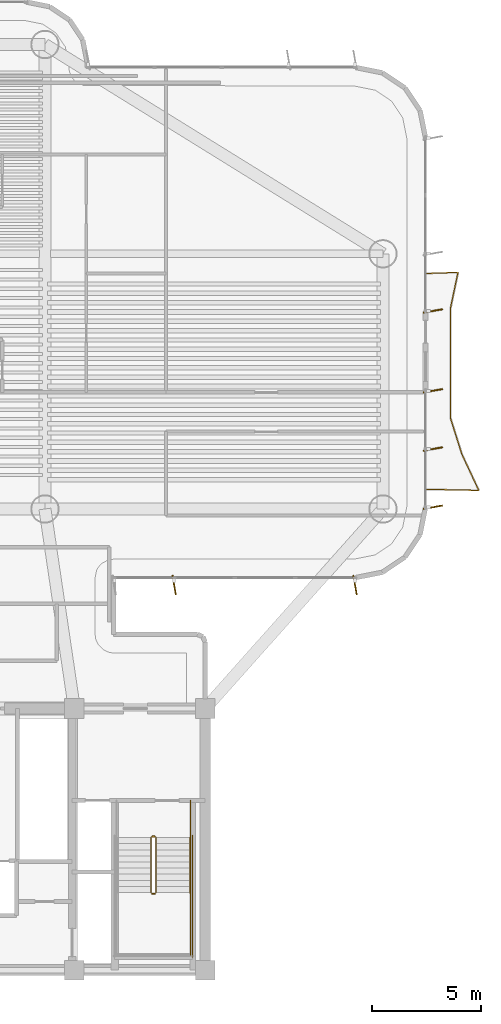
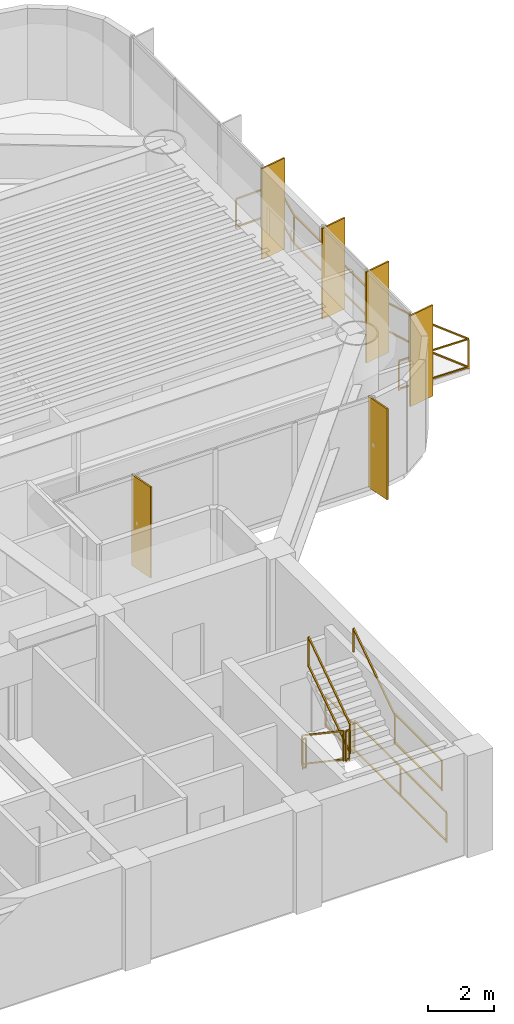
# One storey, part 14 of 15: 9 railings, 6 shading devices.
"""IFC4 building model written with IfcOpenShell, lengths in metres."""

from ifc_helpers import new_model, si_unit, direction, frame, origin, origin_2d, place, context, subcontext, project, spatial, rectangle, extrude, source, transform, mapped, material, layer, layer_set, material_profile, profile_set, type_object, element, save


model = new_model("IFC4")

# Units and contexts
model_context = context("Model", 3, precision=1e-05, world=origin(), true_north=direction((0.0, 1.0)))
body_context = subcontext(model_context, "Body", "Model", "MODEL_VIEW")
ifc_project = project(units=[si_unit("LENGTHUNIT", "METRE"), si_unit("AREAUNIT", "SQUARE_METRE"), si_unit("VOLUMEUNIT", "CUBIC_METRE"), si_unit("PLANEANGLEUNIT", "RADIAN"), si_unit("MASSUNIT", "GRAM", prefix="KILO")], contexts=[model_context])

# Site, building, storey
site_placement = place(None, origin())
site = spatial("IfcSite", under=ifc_project, at=site_placement, CompositionType="ELEMENT")
building_placement = place(site_placement, origin())
building = spatial("IfcBuilding", under=site, at=building_placement, Name="Brelvock Crest Care Tower", CompositionType="ELEMENT")
storey_placement = place(building_placement, frame((0.0, 0.0, 142.739990234375)))
storey = spatial("IfcBuildingStorey", under=building, at=storey_placement, Name="L36", CompositionType="ELEMENT", Elevation=142.739990234375)

# Railings
ifc_material_1 = material(Name="Dark Glass Double Glazed Low-E", Category="glass")
ifc_layer_1 = layer(ifc_material_1, 0.06005859375, Name="RL-BAL1")
ifc_layer_set_1 = layer_set([ifc_layer_1], Name="Dark Glass Double Glazed Low-E")
railing_type_1 = type_object("IfcRailingType", Name="RL-BAL1", PredefinedType="BALUSTRADE", material=ifc_layer_set_1)
railing_1_placement = place(storey_placement, frame((58.139892578125, 28.050048828125, 0.00390625)))
element("IfcRailing", 1, at=railing_1_placement, inside=storey, type_object=railing_type_1, Name="L36 Safety Balustrade WB-E", PredefinedType="BALUSTRADE", context=body_context, shape_type="SweptSolid", body=[
    extrude(rectangle(XDim=0.048095703125, YDim=0.048095703125, at=origin_2d()), frame((0.001953125, 0.0, 1.09619140625), z_axis=(0.999783496855, -0.020807676838, 0.0), x_axis=(0.020807676838, 0.999783496855, 0.0)), (0.0, 0.0, 1.0), 2.4013671875),
    extrude(rectangle(XDim=0.048095703125, YDim=0.048095703125, at=origin_2d()), frame((0.001953125, 0.0, 0.054931640625), z_axis=(0.999783496855, -0.020807676838, 0.0), x_axis=(0.020807676838, 0.999783496855, 0.0)), (0.0, 0.0, 1.0), 2.4013671875),
    extrude(rectangle(XDim=0.048095703125, YDim=0.048095703125, at=origin_2d()), frame((2.404052734375, -0.04833984375, 1.09619140625), z_axis=(-0.423219639169, 0.906027117156, 0.0), x_axis=(-0.906027117156, -0.423219639169, 0.0)), (0.0, 0.0, 1.0), 1.835693359375),
    extrude(rectangle(XDim=0.048095703125, YDim=0.048095703125, at=origin_2d()), frame((2.404052734375, -0.04833984375, 0.054931640625), z_axis=(-0.423219639169, 0.906027117156, 0.0), x_axis=(-0.906027117156, -0.423219639169, 0.0)), (0.0, 0.0, 1.0), 1.835693359375),
    extrude(rectangle(XDim=0.048095703125, YDim=0.048095703125, at=origin_2d()), frame((1.625732421875, 1.61865234375, 1.09619140625), z_axis=(-0.30105782115, 0.953605887316, 0.0), x_axis=(-0.953605887316, -0.30105782115, 0.0)), (0.0, 0.0, 1.0), 1.74365234375),
    extrude(rectangle(XDim=0.048095703125, YDim=0.048095703125, at=origin_2d()), frame((1.625732421875, 1.61865234375, 0.054931640625), z_axis=(-0.30105782115, 0.953605887316, 0.0), x_axis=(-0.953605887316, -0.30105782115, 0.0)), (0.0, 0.0, 1.0), 1.74365234375),
    extrude(rectangle(XDim=0.048095703125, YDim=0.048095703125, at=origin_2d()), frame((1.10009765625, 3.28515625, 1.09619140625), z_axis=(0.0, 1.0, 0.0), x_axis=(-1.0, 0.0, 0.0)), (0.0, 0.0, 1.0), 4.99609375),
    extrude(rectangle(XDim=0.048095703125, YDim=0.048095703125, at=origin_2d()), frame((1.10009765625, 3.28515625, 0.054931640625), z_axis=(0.0, 1.0, 0.0), x_axis=(-1.0, 0.0, 0.0)), (0.0, 0.0, 1.0), 4.99609375),
    extrude(rectangle(XDim=0.048095703125, YDim=0.048095703125, at=origin_2d()), frame((1.1005859375, 8.28515625, 1.09619140625), z_axis=(0.205562541209, 0.978643981053, 0.0), x_axis=(-0.978643981053, 0.205562541209, 0.0)), (0.0, 0.0, 1.0), 1.69921875),
    extrude(rectangle(XDim=0.048095703125, YDim=0.048095703125, at=origin_2d()), frame((1.1005859375, 8.28515625, 0.054931640625), z_axis=(0.205562541209, 0.978643981053, 0.0), x_axis=(-0.978643981053, 0.205562541209, 0.0)), (0.0, 0.0, 1.0), 1.69921875),
    extrude(rectangle(XDim=0.048095703125, YDim=0.048095703125, at=origin_2d()), frame((1.4482421875, 9.949951171875, 1.09619140625), z_axis=(-0.999404999824, -0.034491249994, 0.0), x_axis=(0.034491249994, -0.999404999824, 0.0)), (0.0, 0.0, 1.0), 1.447021484375),
    extrude(rectangle(XDim=0.048095703125, YDim=0.048095703125, at=origin_2d()), frame((1.4482421875, 9.949951171875, 0.054931640625), z_axis=(-0.999404999824, -0.034491249994, 0.0), x_axis=(0.034491249994, -0.999404999824, 0.0)), (0.0, 0.0, 1.0), 1.447021484375),
    extrude(rectangle(XDim=0.0419921875, YDim=0.0419921875, at=origin_2d()), origin(), (0.0, 0.0, 1.0), 1.070068359375),
    extrude(rectangle(XDim=0.0419921875, YDim=0.0419921875, at=origin_2d()), frame((2.40478515625, -0.050048828125, 0.0)), (0.0, 0.0, 1.0), 1.070068359375),
    extrude(rectangle(XDim=0.0419921875, YDim=0.0419921875, at=origin_2d()), frame((1.626220703125, 1.61669921875, 0.0)), (0.0, 0.0, 1.0), 1.070068359375),
    extrude(rectangle(XDim=0.0419921875, YDim=0.0419921875, at=origin_2d()), frame((1.10009765625, 3.283203125, 0.0)), (0.0, 0.0, 1.0), 1.070068359375),
    extrude(rectangle(XDim=0.0419921875, YDim=0.0419921875, at=origin_2d()), frame((1.10009765625, 5.783203125, 0.0)), (0.0, 0.0, 1.0), 1.070068359375),
    extrude(rectangle(XDim=0.0419921875, YDim=0.0419921875, at=origin_2d()), frame((1.10009765625, 8.283203125, 0.0)), (0.0, 0.0, 1.0), 1.070068359375),
    extrude(rectangle(XDim=0.0419921875, YDim=0.0419921875, at=origin_2d()), frame((1.4501953125, 9.949951171875, 0.0)), (0.0, 0.0, 1.0), 1.070068359375),
    extrude(rectangle(XDim=0.0419921875, YDim=0.0419921875, at=origin_2d()), frame((0.0, 9.89990234375, 0.0)), (0.0, 0.0, 1.0), 1.070068359375),
])
ifc_material_2 = material(Name="Steel Grade 350", Category="steel")
ifc_layer_2 = layer(ifc_material_2, 0.050048828125, Name="RL-STG1")
ifc_layer_set_2 = layer_set([ifc_layer_2], Name="Steel Grade 350")
railing_type_2 = type_object("IfcRailingType", Name="RL-STG1", PredefinedType="GUARDRAIL", material=ifc_layer_set_2)
railing_2_placement = place(storey_placement, frame((45.52001953125, 12.080078125, 0.18896484375)))
element("IfcRailing", 2, at=railing_2_placement, inside=storey, type_object=railing_type_2, Name="L36 ST-2 stair guard 1", PredefinedType="GUARDRAIL", context=body_context, shape_type="SweptSolid", body=[
    extrude(rectangle(XDim=0.048095703125, YDim=0.048095703125, at=origin_2d()), frame((0.0, -0.001708984375, 1.116943359375), z_axis=(0.0, -0.828861706735, 0.559453546873), x_axis=(1.0, 0.0, 0.0)), (0.0, 0.0, 1.0), 3.036376953125),
    extrude(rectangle(XDim=0.048095703125, YDim=0.048095703125, at=origin_2d()), frame((0.0, -0.001708984375, 0.05615234375), z_axis=(0.0, -0.828861706735, 0.559453546873), x_axis=(1.0, 0.0, 0.0)), (0.0, 0.0, 1.0), 3.036376953125),
    extrude(rectangle(XDim=0.0419921875, YDim=0.0419921875, at=origin_2d()), origin(), (0.0, 0.0, 1.0), 1.08984375),
    extrude(rectangle(XDim=0.0419921875, YDim=0.0419921875, at=origin_2d()), frame((0.0, -2.52001953125, 1.700927734375)), (0.0, 0.0, 1.0), 1.08984375),
])
railing_3_placement = place(storey_placement, frame((45.570068359375, 9.510009765625, 1.889892578125)))
element("IfcRailing", 3, at=railing_3_placement, inside=storey, type_object=railing_type_2, Name="L36 ST-2 stair guard 2", PredefinedType="GUARDRAIL", context=body_context, shape_type="SweptSolid", body=[
    extrude(rectangle(XDim=0.048095703125, YDim=0.048095703125, at=origin_2d()), frame((0.001953125, 0.0, 1.11572265625), z_axis=(1.0, 0.0, 0.0), x_axis=(0.0, 1.0, 0.0)), (0.0, 0.0, 1.0), 0.115966796875),
    extrude(rectangle(XDim=0.048095703125, YDim=0.048095703125, at=origin_2d()), frame((0.001953125, 0.0, 0.054931640625), z_axis=(1.0, 0.0, 0.0), x_axis=(0.0, 1.0, 0.0)), (0.0, 0.0, 1.0), 0.115966796875),
    extrude(rectangle(XDim=0.0419921875, YDim=0.0419921875, at=origin_2d()), origin(), (0.0, 0.0, 1.0), 1.08984375),
    extrude(rectangle(XDim=0.0419921875, YDim=0.0419921875, at=origin_2d()), frame((0.119873046875, 0.0, 0.0)), (0.0, 0.0, 1.0), 1.08984375),
])
railing_4_placement = place(storey_placement, frame((47.320068359375, 9.56005859375, 1.889892578125)))
element("IfcRailing", 4, at=railing_4_placement, inside=storey, type_object=railing_type_2, Name="L36 ST-2 stair guard 4", PredefinedType="GUARDRAIL", context=body_context, shape_type="SweptSolid", body=[
    extrude(rectangle(XDim=0.048095703125, YDim=0.048095703125, at=origin_2d()), frame((0.0, -0.001953125, 1.11572265625), z_axis=(0.0, -1.0, 0.0), x_axis=(1.0, 0.0, 0.0)), (0.0, 0.0, 1.0), 2.856201171875),
    extrude(rectangle(XDim=0.048095703125, YDim=0.048095703125, at=origin_2d()), frame((0.0, -0.001953125, 0.054931640625), z_axis=(0.0, -1.0, 0.0), x_axis=(1.0, 0.0, 0.0)), (0.0, 0.0, 1.0), 2.856201171875),
    extrude(rectangle(XDim=0.0419921875, YDim=0.0419921875, at=origin_2d()), origin(), (0.0, 0.0, 1.0), 1.08984375),
    extrude(rectangle(XDim=0.0419921875, YDim=0.0419921875, at=origin_2d()), frame((0.0, -2.860107421875, 0.0)), (0.0, 0.0, 1.0), 1.08984375),
])
railing_5_placement = place(storey_placement, frame((45.739990234375, 9.56005859375, 2.0791015625)))
element("IfcRailing", 5, at=railing_5_placement, inside=storey, type_object=railing_type_2, Name="L36 ST-2 stair guard 6", PredefinedType="GUARDRAIL", context=body_context, shape_type="SweptSolid", body=[
    extrude(rectangle(XDim=0.048095703125, YDim=0.048095703125, at=origin_2d()), frame((0.0, 0.001708984375, 1.116943359375), z_axis=(0.0, 0.828861706735, 0.559453546873), x_axis=(-1.0, 0.0, 0.0)), (0.0, 0.0, 1.0), 3.036376953125),
    extrude(rectangle(XDim=0.048095703125, YDim=0.048095703125, at=origin_2d()), frame((0.0, 0.001708984375, 0.05615234375), z_axis=(0.0, 0.828861706735, 0.559453546873), x_axis=(-1.0, 0.0, 0.0)), (0.0, 0.0, 1.0), 3.036376953125),
    extrude(rectangle(XDim=0.0419921875, YDim=0.0419921875, at=origin_2d()), origin(), (0.0, 0.0, 1.0), 1.08984375),
    extrude(rectangle(XDim=0.0419921875, YDim=0.0419921875, at=origin_2d()), frame((0.0, 2.52001953125, 1.700927734375)), (0.0, 0.0, 1.0), 1.08984375),
])
railing_6_placement = place(storey_placement, frame((45.570068359375, 12.1298828125, 0.0)))
element("IfcRailing", 6, at=railing_6_placement, inside=storey, type_object=railing_type_2, Name="L36 ST-2 stair guard 7", PredefinedType="GUARDRAIL", context=body_context, shape_type="SweptSolid", body=[
    extrude(rectangle(XDim=0.048095703125, YDim=0.048095703125, at=origin_2d()), frame((0.001953125, 0.0, 1.11572265625), z_axis=(1.0, 0.0, 0.0), x_axis=(0.0, 1.0, 0.0)), (0.0, 0.0, 1.0), 0.115966796875),
    extrude(rectangle(XDim=0.048095703125, YDim=0.048095703125, at=origin_2d()), frame((0.001953125, 0.0, 0.054931640625), z_axis=(1.0, 0.0, 0.0), x_axis=(0.0, 1.0, 0.0)), (0.0, 0.0, 1.0), 0.115966796875),
    extrude(rectangle(XDim=0.0419921875, YDim=0.0419921875, at=origin_2d()), origin(), (0.0, 0.0, 1.0), 1.08984375),
    extrude(rectangle(XDim=0.0419921875, YDim=0.0419921875, at=origin_2d()), frame((0.119873046875, 0.0, 0.0)), (0.0, 0.0, 1.0), 1.08984375),
])
railing_7_placement = place(storey_placement, frame((47.320068359375, 13.780029296875, 0.0)))
element("IfcRailing", 7, at=railing_7_placement, inside=storey, type_object=railing_type_2, Name="L36 ST-2 stair guard 9", PredefinedType="GUARDRAIL", context=body_context, shape_type="SweptSolid", body=[
    extrude(rectangle(XDim=0.048095703125, YDim=0.048095703125, at=origin_2d()), frame((0.0, -0.001953125, 1.11572265625), z_axis=(0.0, -1.0, 0.0), x_axis=(1.0, 0.0, 0.0)), (0.0, 0.0, 1.0), 1.696044921875),
    extrude(rectangle(XDim=0.048095703125, YDim=0.048095703125, at=origin_2d()), frame((0.0, -0.001953125, 0.054931640625), z_axis=(0.0, -1.0, 0.0), x_axis=(1.0, 0.0, 0.0)), (0.0, 0.0, 1.0), 1.696044921875),
    extrude(rectangle(XDim=0.0419921875, YDim=0.0419921875, at=origin_2d()), origin(), (0.0, 0.0, 1.0), 1.08984375),
    extrude(rectangle(XDim=0.0419921875, YDim=0.0419921875, at=origin_2d()), frame((0.0, -1.699951171875, 0.0)), (0.0, 0.0, 1.0), 1.08984375),
])
railing_8_placement = place(storey_placement, frame((47.419921875, 12.179931640625, 0.0)))
element("IfcRailing", 8, at=railing_8_placement, inside=storey, type_object=railing_type_2, Name="L36 ST-2 stair guard 11", PredefinedType="GUARDRAIL", context=body_context, shape_type="SweptSolid", body=[
    extrude(rectangle(XDim=0.048095703125, YDim=0.048095703125, at=origin_2d()), frame((0.0, -0.001953125, 1.11572265625), z_axis=(0.0, -1.0, 0.0), x_axis=(1.0, 0.0, 0.0)), (0.0, 0.0, 1.0), 5.575927734375),
    extrude(rectangle(XDim=0.048095703125, YDim=0.048095703125, at=origin_2d()), frame((0.0, -0.001953125, 0.054931640625), z_axis=(0.0, -1.0, 0.0), x_axis=(1.0, 0.0, 0.0)), (0.0, 0.0, 1.0), 5.575927734375),
    extrude(rectangle(XDim=0.0419921875, YDim=0.0419921875, at=origin_2d()), origin(), (0.0, 0.0, 1.0), 1.08984375),
    extrude(rectangle(XDim=0.0419921875, YDim=0.0419921875, at=origin_2d()), frame((0.0, -2.7900390625, 0.0)), (0.0, 0.0, 1.0), 1.08984375),
    extrude(rectangle(XDim=0.0419921875, YDim=0.0419921875, at=origin_2d()), frame((0.0, -5.579833984375, 0.0)), (0.0, 0.0, 1.0), 1.08984375),
])
ifc_layer_3 = layer(ifc_material_2, 0.048095703125, Name="RL-STH1")
ifc_layer_set_3 = layer_set([ifc_layer_3], Name="Steel Grade 350")
railing_type_3 = type_object("IfcRailingType", Name="RL-STH1", PredefinedType="HANDRAIL", material=ifc_layer_set_3)
railing_9_placement = place(storey_placement, frame((47.320068359375, 9.56005859375, 2.0791015625)))
element("IfcRailing", 9, at=railing_9_placement, inside=storey, type_object=railing_type_3, Name="L36 ST-2 stair handrail 2", PredefinedType="HANDRAIL", context=body_context, shape_type="SweptSolid", body=[
    extrude(rectangle(XDim=0.048095703125, YDim=0.048095703125, at=origin_2d()), frame((0.0, 0.001708984375, 0.876953125), z_axis=(0.0, 0.828861706735, 0.559453546873), x_axis=(-1.0, 0.0, 0.0)), (0.0, 0.0, 1.0), 3.036376953125),
    extrude(rectangle(XDim=0.0419921875, YDim=0.0419921875, at=origin_2d()), origin(), (0.0, 0.0, 1.0), 0.849853515625),
    extrude(rectangle(XDim=0.0419921875, YDim=0.0419921875, at=origin_2d()), frame((0.0, 2.52001953125, 1.700927734375)), (0.0, 0.0, 1.0), 0.849853515625),
])

# Shading devices
ifc_material_3 = material(Name="Aluminium 6063-T6", Category="aluminium")
ifc_material_profile = material_profile(ifc_material_3, rectangle(XDim=0.054931640625, YDim=0.89990234375, at=origin_2d()), Name="FIN55x900")
ifc_profile_set = profile_set([ifc_material_profile], Name="Aluminium 6063-T6")
shading_device_type = type_object("IfcShadingDeviceType", Name="SHD-FIN1", PredefinedType="USERDEFINED", material=ifc_profile_set)
shared_shape = source(origin(), body_context, "Body", "SweptSolid", [
    extrude(rectangle(XDim=0.054931640625, YDim=0.89990234375, at=origin_2d()), origin(), (0.0, 0.0, 1.0), 3.3720703125),
])
for number, where, z_axis, x_axis, name in (
    (10, (58.43994140625, 36.22998046875, 0.0), (0.0, 0.0, 1.0), (0.173648177667, -0.984807753012, 0.0), "L36 Vertical Sunshade Fin E39A-04"),
    (11, (58.43994140625, 32.570068359375, 0.0), (0.0, 0.0, 1.0), (0.173648177667, -0.984807753012, 0.0), "L36 Vertical Sunshade Fin E39B-01"),
    (12, (58.43994140625, 29.89990234375, 0.0), (0.0, 0.0, 1.0), (0.173648177667, -0.984807753012, 0.0), "L36 Vertical Sunshade Fin E39B-02"),
    (13, (58.43994140625, 27.22998046875, 0.0), (0.0, 0.0, 1.0), (0.173648177667, -0.984807753012, 0.0), "L36 Vertical Sunshade Fin E39B-03"),
    (14, (54.8701171875, 23.659912109375, 0.0), (0.0, 0.0, 1.0), (-0.984807753012, -0.173648177667, 0.0), "L36 Vertical Sunshade Fin E44-01"),
    (15, (46.574951171875, 23.659912109375, 0.0), (0.0, 0.0, 1.0), (-0.984807753012, -0.173648177667, 0.0), "L36 Vertical Sunshade Fin E44-04"),
):
    element("IfcShadingDevice", number, at=place(storey_placement, frame(where, z_axis=z_axis, x_axis=x_axis)), inside=storey, type_object=shading_device_type, Name=name, ObjectType="FIN", PredefinedType="USERDEFINED", context=body_context, shape_type="MappedRepresentation", body=[
        mapped(shared_shape, transform((0.0, 0.0, 0.0), x_axis=(1.0, 0.0, 0.0), y_axis=(0.0, 1.0, 0.0), z_axis=(0.0, 0.0, 1.0), scale=1.0)),
    ])

save(model, "model.ifc")
